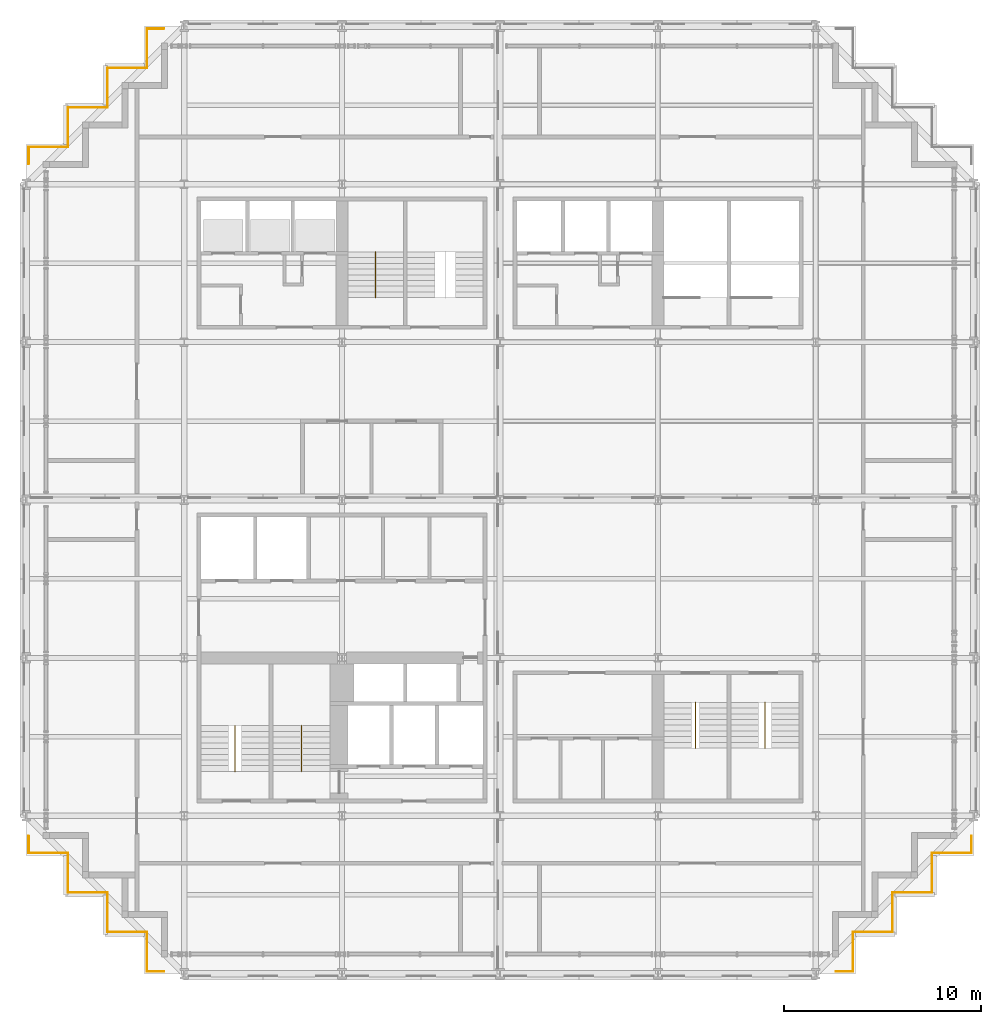
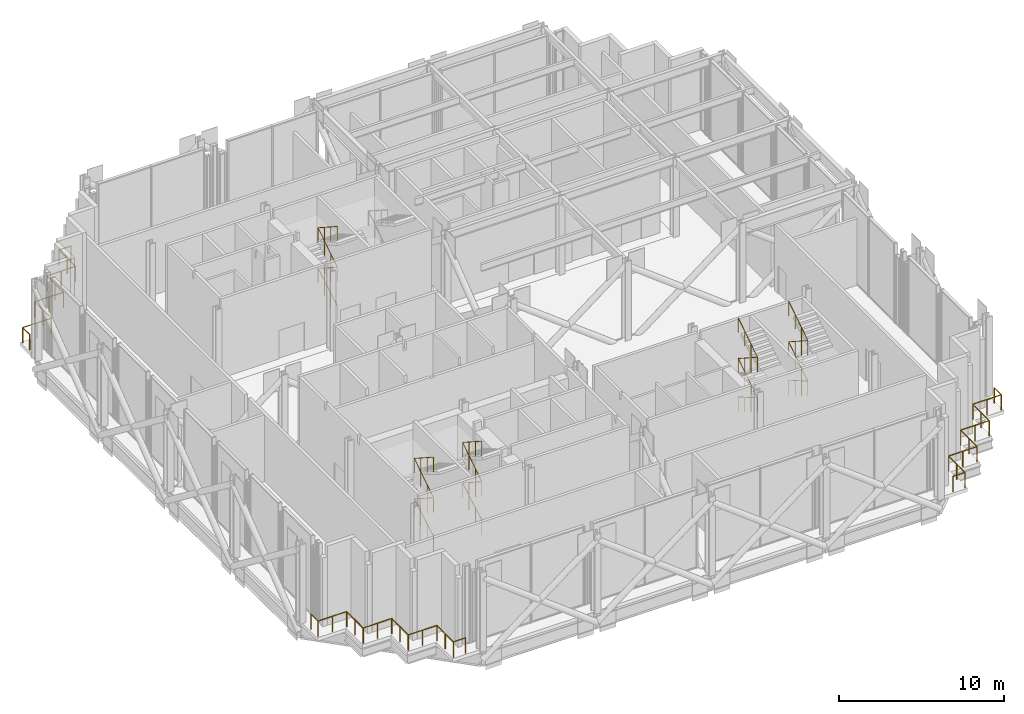
# One storey, part 23 of 25: 29 railings.
"""IFC4 building model written with IfcOpenShell, lengths in metres."""

import ifcopenshell
import ifcopenshell.guid

model = None  # the IFC model being written
_history = None  # IfcOwnerHistory: only IFC2X3 demands one
_inside = {}  # id of a spatial element -> (the spatial element, [elements in it])
_under = {}  # id of a project, library or spatial element -> (it, [spatial elements below it])
_declared = {}  # id of a project -> (the project, [libraries it declares])
_typed = {}  # id of a type object -> (the type object, [elements of that type])
_made_of = {}  # id of a material, layer set ... -> (it, [elements and type objects made of it])


def new_model(schema):
    """Start an empty IFC model of exactly this schema.

    Asked for "IFC4X3", IfcOpenShell would pick the latest addendum, in which some entities
    have other attributes; the version numbers below select the first issue.
    IFC2X3 requires an IfcOwnerHistory on every rooted entity: one is made here for all.
    """
    global model, _history
    if schema == "IFC4X3":
        model = ifcopenshell.file(schema_version=(4, 3, 0, 0))
    else:
        model = ifcopenshell.file(schema=schema)
    _inside.clear()
    _under.clear()
    _declared.clear()
    _typed.clear()
    _made_of.clear()
    _history = None
    if model.schema == "IFC2X3":
        org = make("IfcOrganization", Name="unknown")
        user = make(
            "IfcPersonAndOrganization",
            ThePerson=make("IfcPerson", FamilyName="unknown"),
            TheOrganization=org,
        )
        app = make(
            "IfcApplication",
            ApplicationDeveloper=org,
            Version="unknown",
            ApplicationFullName="unknown",
            ApplicationIdentifier="unknown",
        )
        _history = make(
            "IfcOwnerHistory",
            OwningUser=user,
            OwningApplication=app,
            ChangeAction="ADDED",
            CreationDate=0,
        )
    return model


def make(cls, **values):
    """One entity of the class cls with the attributes given. An attribute that is None is left unset."""
    return model.create_entity(
        cls, **{name: value for name, value in values.items() if value is not None}
    )


def rooted(cls, **values):
    """An entity with a GlobalId (a new one), such as an element, a storey or a relation."""
    return make(cls, GlobalId=ifcopenshell.guid.new(), OwnerHistory=_history, **values)


def si_unit(unit_type, name, prefix=None):
    """IfcSIUnit, for example si_unit("LENGTHUNIT", "METRE", prefix="MILLI")."""
    return make("IfcSIUnit", UnitType=unit_type, Prefix=prefix, Name=name)


def assignment(units):
    """IfcUnitAssignment: the units of a project."""
    return None if units is None else make("IfcUnitAssignment", Units=units)


def point(xyz):
    """IfcCartesianPoint."""
    return None if xyz is None else make("IfcCartesianPoint", Coordinates=xyz)


def direction(xyz):
    """IfcDirection."""
    return None if xyz is None else make("IfcDirection", DirectionRatios=xyz)


def frame(location, z_axis=None, x_axis=None):
    """IfcAxis2Placement3D, a coordinate frame: its origin and axes. An axis left out is left unset."""
    return make(
        "IfcAxis2Placement3D",
        Location=point(location),
        Axis=direction(z_axis),
        RefDirection=direction(x_axis),
    )


def frame_2d(location, x_axis=None):
    """IfcAxis2Placement2D, a coordinate frame in the plane: its origin and x axis."""
    return make(
        "IfcAxis2Placement2D", Location=point(location), RefDirection=direction(x_axis)
    )


def origin():
    """The frame at (0, 0, 0) with its axes left unset."""
    return frame((0.0, 0.0, 0.0))


def origin_2d():
    """The frame at (0, 0) in the plane with its x axis left unset."""
    return frame_2d((0.0, 0.0))


def place(relative_to, where):
    """IfcLocalPlacement: puts the frame where relative to a parent placement (None: the world)."""
    return make(
        "IfcLocalPlacement", PlacementRelTo=relative_to, RelativePlacement=where
    )


def context(
    kind, dimensions, precision=None, world=None, true_north=None, identifier=None
):
    """IfcGeometricRepresentationContext, for example the 3D "Model" context."""
    return make(
        "IfcGeometricRepresentationContext",
        ContextIdentifier=identifier,
        ContextType=kind,
        CoordinateSpaceDimension=dimensions,
        Precision=precision,
        WorldCoordinateSystem=world,
        TrueNorth=true_north,
    )


def subcontext(parent, identifier, kind, view, scale=None):
    """IfcGeometricRepresentationSubContext, for example "Body" below "Model"."""
    return make(
        "IfcGeometricRepresentationSubContext",
        ContextIdentifier=identifier,
        ContextType=kind,
        ParentContext=parent,
        TargetScale=scale,
        TargetView=view,
    )


def project(units=None, contexts=None):
    """IfcProject with its units and contexts."""
    return rooted(
        "IfcProject",
        Name="project",
        RepresentationContexts=contexts,
        UnitsInContext=assignment(units),
    )


def spatial(cls, under=None, at=None, **own):
    """A site, building, storey or space (cls), placed at a placement, below another one or the project."""
    s = rooted(cls, ObjectPlacement=at, **own)
    if under is not None:
        _under.setdefault(under.id(), (under, []))[1].append(s)
    return s


def profile(cls, at=None, kind="AREA", **sizes):
    """A parametric profile (cls). Its sizes go by their IFC names, for example OverallWidth=200.0."""
    return make(cls, ProfileType=kind, Position=at, **sizes)


def circle(**sizes):
    """IfcCircleProfileDef."""
    return profile("IfcCircleProfileDef", **sizes)


def extrude(swept, where, along, depth):
    """IfcExtrudedAreaSolid: the profile swept, set in the frame where, extruded along a direction by depth."""
    return make(
        "IfcExtrudedAreaSolid",
        SweptArea=swept,
        Position=where,
        ExtrudedDirection=direction(along),
        Depth=depth,
    )


def shape(context_of_items, identifier, shape_type, items):
    """IfcShapeRepresentation: the items that make up one representation, for example the "Body"."""
    return make(
        "IfcShapeRepresentation",
        ContextOfItems=context_of_items,
        RepresentationIdentifier=identifier,
        RepresentationType=shape_type,
        Items=items,
    )


def material(Name=None, Category=None):
    """IfcMaterial."""
    return make("IfcMaterial", Name=Name, Category=Category)


def made_of(thing, what):
    """Note that an element or type object is made of a material, layer set ...; save() writes the relation."""
    if what is not None:
        _made_of.setdefault(what.id(), (what, []))[1].append(thing)
    return thing


def type_object(cls, material=None, **own):
    """A type object (cls), such as IfcWallType, which elements share."""
    return made_of(rooted(cls, **own), material)


def element(
    cls,
    number,
    at=None,
    inside=None,
    cuts=None,
    type_object=None,
    material=None,
    context=None,
    identifier="Body",
    shape_type=None,
    held_by="IfcProductDefinitionShape",
    body=None,
    shapes=None,
    **own,
):
    """One element of the class cls, such as IfcWall. Its Tag is "e" and its number.

    at: its placement. inside: the storey or other place that contains it. cuts: it is an
    opening in that element (IfcRelVoidsElement). A single representation is given by context,
    identifier, shape_type and body (its items); several are given by shapes. held_by: the class
    of the entity that holds the representations. save() writes the other relations.
    """
    e = rooted(cls, Tag="e%d" % number, ObjectPlacement=at, **own)
    if body is not None:
        shapes = [shape(context, identifier, shape_type, body)]
    if shapes is not None:
        e.Representation = make(held_by, Representations=shapes)
    if inside is not None:
        _inside.setdefault(inside.id(), (inside, []))[1].append(e)
    if cuts is not None:
        rooted(
            "IfcRelVoidsElement", RelatingBuildingElement=cuts, RelatedOpeningElement=e
        )
    if type_object is not None:
        _typed.setdefault(type_object.id(), (type_object, []))[1].append(e)
    return made_of(e, material)


def aggregate(whole, parts):
    """IfcRelAggregates: a whole, such as a stair, and the parts it consists of."""
    return rooted("IfcRelAggregates", RelatingObject=whole, RelatedObjects=parts)


def save(model, path):
    """Write the relations noted so far, then the file.

    IfcRelAggregates (storeys below a building ...), IfcRelContainedInSpatialStructure (elements
    in a storey), IfcRelDefinesByType, IfcRelAssociatesMaterial and IfcRelDeclares: one each for
    every whole, place, type object, material and project.
    """
    for whole, parts in _under.values():
        aggregate(whole, parts)
    for where, things in _inside.values():
        rooted(
            "IfcRelContainedInSpatialStructure",
            RelatedElements=things,
            RelatingStructure=where,
        )
    for kind, things in _typed.values():
        rooted("IfcRelDefinesByType", RelatedObjects=things, RelatingType=kind)
    for what, things in _made_of.values():
        rooted("IfcRelAssociatesMaterial", RelatedObjects=things, RelatingMaterial=what)
    for by, libraries in _declared.values():
        rooted("IfcRelDeclares", RelatingContext=by, RelatedDefinitions=libraries)
    model.write(path)


model = new_model("IFC4")

# Units and contexts
model_context = context("Model", 3, precision=1e-05, world=origin(), true_north=direction((0.0, 1.0)))
body_context = subcontext(model_context, "Body", "Model", "MODEL_VIEW")
ifc_project = project(units=[si_unit("LENGTHUNIT", "METRE"), si_unit("AREAUNIT", "SQUARE_METRE"), si_unit("VOLUMEUNIT", "CUBIC_METRE"), si_unit("PLANEANGLEUNIT", "RADIAN"), si_unit("MASSUNIT", "GRAM", prefix="KILO")], contexts=[model_context])

# Site, building, storey
site_placement = place(None, origin())
site = spatial("IfcSite", under=ifc_project, at=site_placement, CompositionType="ELEMENT")
building_placement = place(site_placement, origin())
building = spatial("IfcBuilding", under=site, at=building_placement, Name="Immortelle Media Tower", CompositionType="ELEMENT")
storey_placement = place(building_placement, frame((0.0, 0.0, 114.0)))
storey = spatial("IfcBuildingStorey", under=building, at=storey_placement, Name="L22", CompositionType="ELEMENT", Elevation=114.0)

# Railings
ifc_material = material(Name="Stainless steel AISI 316", Category="steel")
railing_type_1 = type_object("IfcRailingType", Name="Plant ledge guard 1150", PredefinedType="GUARDRAIL", material=ifc_material)
railing_1_placement = place(storey_placement, frame((0.1201171875, 6.1201171875, 0.0)))
element("IfcRailing", 1, at=railing_1_placement, inside=storey, type_object=railing_type_1, Name="Plant ledge guard L22-1", PredefinedType="GUARDRAIL", context=body_context, shape_type="SweptSolid", body=[
    extrude(circle(Radius=0.02001953125, at=origin_2d()), frame((0.0, 0.0, 1.1298828125), z_axis=(1.0, 0.0, 0.0), x_axis=(0.0, 1.0, 0.0)), (0.0, 0.0, 1.0), 2.0),
    extrude(circle(Radius=0.02001953125, at=origin_2d()), origin(), (0.0, 0.0, 1.0), 1.10986328125),
    extrude(circle(Radius=0.02001953125, at=origin_2d()), frame((1.0, 0.0, 0.0)), (0.0, 0.0, 1.0), 1.10986328125),
    extrude(circle(Radius=0.02001953125, at=origin_2d()), frame((2.0, 0.0, 0.0)), (0.0, 0.0, 1.0), 1.10986328125),
])
railing_2_placement = place(storey_placement, frame((0.1201171875, 6.969970703125, 0.0)))
element("IfcRailing", 2, at=railing_2_placement, inside=storey, type_object=railing_type_1, Name="Plant ledge guard L22-2", PredefinedType="GUARDRAIL", context=body_context, shape_type="SweptSolid", body=[
    extrude(circle(Radius=0.02001953125, at=origin_2d()), frame((0.0, 0.0, 1.1298828125), z_axis=(0.0, -1.0, 0.0), x_axis=(1.0, 0.0, 0.0)), (0.0, 0.0, 1.0), 0.849853515625),
    extrude(circle(Radius=0.02001953125, at=origin_2d()), origin(), (0.0, 0.0, 1.0), 1.10986328125),
    extrude(circle(Radius=0.02001953125, at=origin_2d()), frame((0.0, -0.849853515625, 0.0)), (0.0, 0.0, 1.0), 1.10986328125),
])
railing_3_placement = place(storey_placement, frame((2.1201171875, 6.1201171875, 0.0)))
element("IfcRailing", 3, at=railing_3_placement, inside=storey, type_object=railing_type_1, Name="Plant ledge guard L22-3", PredefinedType="GUARDRAIL", context=body_context, shape_type="SweptSolid", body=[
    extrude(circle(Radius=0.02001953125, at=origin_2d()), frame((0.0, 0.0, 1.1298828125), z_axis=(0.0, -1.0, 0.0), x_axis=(1.0, 0.0, 0.0)), (0.0, 0.0, 1.0), 2.0),
    extrude(circle(Radius=0.02001953125, at=origin_2d()), origin(), (0.0, 0.0, 1.0), 1.10986328125),
    extrude(circle(Radius=0.02001953125, at=origin_2d()), frame((0.0, -1.0, 0.0)), (0.0, 0.0, 1.0), 1.10986328125),
    extrude(circle(Radius=0.02001953125, at=origin_2d()), frame((0.0, -2.0, 0.0)), (0.0, 0.0, 1.0), 1.10986328125),
])
railing_4_placement = place(storey_placement, frame((2.1201171875, 4.1201171875, 0.0)))
element("IfcRailing", 4, at=railing_4_placement, inside=storey, type_object=railing_type_1, Name="Plant ledge guard L22-4", PredefinedType="GUARDRAIL", context=body_context, shape_type="SweptSolid", body=[
    extrude(circle(Radius=0.02001953125, at=origin_2d()), frame((0.0, 0.0, 1.1298828125), z_axis=(1.0, 0.0, 0.0), x_axis=(0.0, 1.0, 0.0)), (0.0, 0.0, 1.0), 2.0),
    extrude(circle(Radius=0.02001953125, at=origin_2d()), origin(), (0.0, 0.0, 1.0), 1.10986328125),
    extrude(circle(Radius=0.02001953125, at=origin_2d()), frame((1.0, 0.0, 0.0)), (0.0, 0.0, 1.0), 1.10986328125),
    extrude(circle(Radius=0.02001953125, at=origin_2d()), frame((2.0, 0.0, 0.0)), (0.0, 0.0, 1.0), 1.10986328125),
])
railing_5_placement = place(storey_placement, frame((4.1201171875, 4.1201171875, 0.0)))
element("IfcRailing", 5, at=railing_5_placement, inside=storey, type_object=railing_type_1, Name="Plant ledge guard L22-5", PredefinedType="GUARDRAIL", context=body_context, shape_type="SweptSolid", body=[
    extrude(circle(Radius=0.02001953125, at=origin_2d()), frame((0.0, 0.0, 1.1298828125), z_axis=(0.0, -1.0, 0.0), x_axis=(1.0, 0.0, 0.0)), (0.0, 0.0, 1.0), 2.0),
    extrude(circle(Radius=0.02001953125, at=origin_2d()), origin(), (0.0, 0.0, 1.0), 1.10986328125),
    extrude(circle(Radius=0.02001953125, at=origin_2d()), frame((0.0, -1.0, 0.0)), (0.0, 0.0, 1.0), 1.10986328125),
    extrude(circle(Radius=0.02001953125, at=origin_2d()), frame((0.0, -2.0, 0.0)), (0.0, 0.0, 1.0), 1.10986328125),
])
railing_6_placement = place(storey_placement, frame((4.1201171875, 2.1201171875, 0.0)))
element("IfcRailing", 6, at=railing_6_placement, inside=storey, type_object=railing_type_1, Name="Plant ledge guard L22-6", PredefinedType="GUARDRAIL", context=body_context, shape_type="SweptSolid", body=[
    extrude(circle(Radius=0.02001953125, at=origin_2d()), frame((0.0, 0.0, 1.1298828125), z_axis=(1.0, 0.0, 0.0), x_axis=(0.0, 1.0, 0.0)), (0.0, 0.0, 1.0), 2.0),
    extrude(circle(Radius=0.02001953125, at=origin_2d()), origin(), (0.0, 0.0, 1.0), 1.10986328125),
    extrude(circle(Radius=0.02001953125, at=origin_2d()), frame((1.0, 0.0, 0.0)), (0.0, 0.0, 1.0), 1.10986328125),
    extrude(circle(Radius=0.02001953125, at=origin_2d()), frame((2.0, 0.0, 0.0)), (0.0, 0.0, 1.0), 1.10986328125),
])
railing_7_placement = place(storey_placement, frame((6.1201171875, 2.1201171875, 0.0)))
element("IfcRailing", 7, at=railing_7_placement, inside=storey, type_object=railing_type_1, Name="Plant ledge guard L22-7", PredefinedType="GUARDRAIL", context=body_context, shape_type="SweptSolid", body=[
    extrude(circle(Radius=0.02001953125, at=origin_2d()), frame((0.0, 0.0, 1.1298828125), z_axis=(0.0, -1.0, 0.0), x_axis=(1.0, 0.0, 0.0)), (0.0, 0.0, 1.0), 2.0),
    extrude(circle(Radius=0.02001953125, at=origin_2d()), origin(), (0.0, 0.0, 1.0), 1.10986328125),
    extrude(circle(Radius=0.02001953125, at=origin_2d()), frame((0.0, -1.0, 0.0)), (0.0, 0.0, 1.0), 1.10986328125),
    extrude(circle(Radius=0.02001953125, at=origin_2d()), frame((0.0, -2.0, 0.0)), (0.0, 0.0, 1.0), 1.10986328125),
])
railing_8_placement = place(storey_placement, frame((6.1201171875, 0.1201171875, 0.0)))
element("IfcRailing", 8, at=railing_8_placement, inside=storey, type_object=railing_type_1, Name="Plant ledge guard L22-8", PredefinedType="GUARDRAIL", context=body_context, shape_type="SweptSolid", body=[
    extrude(circle(Radius=0.02001953125, at=origin_2d()), frame((0.0, 0.0, 1.1298828125), z_axis=(1.0, 0.0, 0.0), x_axis=(0.0, 1.0, 0.0)), (0.0, 0.0, 1.0), 0.849853515625),
    extrude(circle(Radius=0.02001953125, at=origin_2d()), origin(), (0.0, 0.0, 1.0), 1.10986328125),
    extrude(circle(Radius=0.02001953125, at=origin_2d()), frame((0.849853515625, 0.0, 0.0)), (0.0, 0.0, 1.0), 1.10986328125),
])
railing_9_placement = place(storey_placement, frame((41.8798828125, 0.1201171875, 0.0)))
element("IfcRailing", 9, at=railing_9_placement, inside=storey, type_object=railing_type_1, Name="Plant ledge guard L22-9", PredefinedType="GUARDRAIL", context=body_context, shape_type="SweptSolid", body=[
    extrude(circle(Radius=0.02001953125, at=origin_2d()), frame((0.0, 0.0, 1.1298828125), z_axis=(0.0, 1.0, 0.0), x_axis=(-1.0, 0.0, 0.0)), (0.0, 0.0, 1.0), 2.0),
    extrude(circle(Radius=0.02001953125, at=origin_2d()), origin(), (0.0, 0.0, 1.0), 1.10986328125),
    extrude(circle(Radius=0.02001953125, at=origin_2d()), frame((0.0, 1.0, 0.0)), (0.0, 0.0, 1.0), 1.10986328125),
    extrude(circle(Radius=0.02001953125, at=origin_2d()), frame((0.0, 2.0, 0.0)), (0.0, 0.0, 1.0), 1.10986328125),
])
railing_10_placement = place(storey_placement, frame((41.030029296875, 0.1201171875, 0.0)))
element("IfcRailing", 10, at=railing_10_placement, inside=storey, type_object=railing_type_1, Name="Plant ledge guard L22-10", PredefinedType="GUARDRAIL", context=body_context, shape_type="SweptSolid", body=[
    extrude(circle(Radius=0.02001953125, at=origin_2d()), frame((0.0, 0.0, 1.1298828125), z_axis=(1.0, 0.0, 0.0), x_axis=(0.0, 1.0, 0.0)), (0.0, 0.0, 1.0), 0.849853515625),
    extrude(circle(Radius=0.02001953125, at=origin_2d()), origin(), (0.0, 0.0, 1.0), 1.10986328125),
    extrude(circle(Radius=0.02001953125, at=origin_2d()), frame((0.849853515625, 0.0, 0.0)), (0.0, 0.0, 1.0), 1.10986328125),
])
railing_11_placement = place(storey_placement, frame((41.8798828125, 2.1201171875, 0.0)))
element("IfcRailing", 11, at=railing_11_placement, inside=storey, type_object=railing_type_1, Name="Plant ledge guard L22-11", PredefinedType="GUARDRAIL", context=body_context, shape_type="SweptSolid", body=[
    extrude(circle(Radius=0.02001953125, at=origin_2d()), frame((0.0, 0.0, 1.1298828125), z_axis=(1.0, 0.0, 0.0), x_axis=(0.0, 1.0, 0.0)), (0.0, 0.0, 1.0), 2.0),
    extrude(circle(Radius=0.02001953125, at=origin_2d()), origin(), (0.0, 0.0, 1.0), 1.10986328125),
    extrude(circle(Radius=0.02001953125, at=origin_2d()), frame((1.0, 0.0, 0.0)), (0.0, 0.0, 1.0), 1.10986328125),
    extrude(circle(Radius=0.02001953125, at=origin_2d()), frame((2.0, 0.0, 0.0)), (0.0, 0.0, 1.0), 1.10986328125),
])
railing_12_placement = place(storey_placement, frame((43.8798828125, 2.1201171875, 0.0)))
element("IfcRailing", 12, at=railing_12_placement, inside=storey, type_object=railing_type_1, Name="Plant ledge guard L22-12", PredefinedType="GUARDRAIL", context=body_context, shape_type="SweptSolid", body=[
    extrude(circle(Radius=0.02001953125, at=origin_2d()), frame((0.0, 0.0, 1.1298828125), z_axis=(0.0, 1.0, 0.0), x_axis=(-1.0, 0.0, 0.0)), (0.0, 0.0, 1.0), 2.0),
    extrude(circle(Radius=0.02001953125, at=origin_2d()), origin(), (0.0, 0.0, 1.0), 1.10986328125),
    extrude(circle(Radius=0.02001953125, at=origin_2d()), frame((0.0, 1.0, 0.0)), (0.0, 0.0, 1.0), 1.10986328125),
    extrude(circle(Radius=0.02001953125, at=origin_2d()), frame((0.0, 2.0, 0.0)), (0.0, 0.0, 1.0), 1.10986328125),
])
railing_13_placement = place(storey_placement, frame((43.8798828125, 4.1201171875, 0.0)))
element("IfcRailing", 13, at=railing_13_placement, inside=storey, type_object=railing_type_1, Name="Plant ledge guard L22-13", PredefinedType="GUARDRAIL", context=body_context, shape_type="SweptSolid", body=[
    extrude(circle(Radius=0.02001953125, at=origin_2d()), frame((0.0, 0.0, 1.1298828125), z_axis=(1.0, 0.0, 0.0), x_axis=(0.0, 1.0, 0.0)), (0.0, 0.0, 1.0), 2.0),
    extrude(circle(Radius=0.02001953125, at=origin_2d()), origin(), (0.0, 0.0, 1.0), 1.10986328125),
    extrude(circle(Radius=0.02001953125, at=origin_2d()), frame((1.0, 0.0, 0.0)), (0.0, 0.0, 1.0), 1.10986328125),
    extrude(circle(Radius=0.02001953125, at=origin_2d()), frame((2.0, 0.0, 0.0)), (0.0, 0.0, 1.0), 1.10986328125),
])
railing_14_placement = place(storey_placement, frame((45.8798828125, 4.1201171875, 0.0)))
element("IfcRailing", 14, at=railing_14_placement, inside=storey, type_object=railing_type_1, Name="Plant ledge guard L22-14", PredefinedType="GUARDRAIL", context=body_context, shape_type="SweptSolid", body=[
    extrude(circle(Radius=0.02001953125, at=origin_2d()), frame((0.0, 0.0, 1.1298828125), z_axis=(0.0, 1.0, 0.0), x_axis=(-1.0, 0.0, 0.0)), (0.0, 0.0, 1.0), 2.0),
    extrude(circle(Radius=0.02001953125, at=origin_2d()), origin(), (0.0, 0.0, 1.0), 1.10986328125),
    extrude(circle(Radius=0.02001953125, at=origin_2d()), frame((0.0, 1.0, 0.0)), (0.0, 0.0, 1.0), 1.10986328125),
    extrude(circle(Radius=0.02001953125, at=origin_2d()), frame((0.0, 2.0, 0.0)), (0.0, 0.0, 1.0), 1.10986328125),
])
railing_15_placement = place(storey_placement, frame((45.8798828125, 6.1201171875, 0.0)))
element("IfcRailing", 15, at=railing_15_placement, inside=storey, type_object=railing_type_1, Name="Plant ledge guard L22-15", PredefinedType="GUARDRAIL", context=body_context, shape_type="SweptSolid", body=[
    extrude(circle(Radius=0.02001953125, at=origin_2d()), frame((0.0, 0.0, 1.1298828125), z_axis=(1.0, 0.0, 0.0), x_axis=(0.0, 1.0, 0.0)), (0.0, 0.0, 1.0), 2.0),
    extrude(circle(Radius=0.02001953125, at=origin_2d()), origin(), (0.0, 0.0, 1.0), 1.10986328125),
    extrude(circle(Radius=0.02001953125, at=origin_2d()), frame((1.0, 0.0, 0.0)), (0.0, 0.0, 1.0), 1.10986328125),
    extrude(circle(Radius=0.02001953125, at=origin_2d()), frame((2.0, 0.0, 0.0)), (0.0, 0.0, 1.0), 1.10986328125),
])
railing_16_placement = place(storey_placement, frame((47.8798828125, 6.1201171875, 0.0)))
element("IfcRailing", 16, at=railing_16_placement, inside=storey, type_object=railing_type_1, Name="Plant ledge guard L22-16", PredefinedType="GUARDRAIL", context=body_context, shape_type="SweptSolid", body=[
    extrude(circle(Radius=0.02001953125, at=origin_2d()), frame((0.0, 0.0, 1.1298828125), z_axis=(0.0, 1.0, 0.0), x_axis=(-1.0, 0.0, 0.0)), (0.0, 0.0, 1.0), 0.849853515625),
    extrude(circle(Radius=0.02001953125, at=origin_2d()), origin(), (0.0, 0.0, 1.0), 1.10986328125),
    extrude(circle(Radius=0.02001953125, at=origin_2d()), frame((0.0, 0.849853515625, 0.0)), (0.0, 0.0, 1.0), 1.10986328125),
])
railing_17_placement = place(storey_placement, frame((6.1201171875, 47.8798828125, 0.0)))
element("IfcRailing", 17, at=railing_17_placement, inside=storey, type_object=railing_type_1, Name="Plant ledge guard L22-25", PredefinedType="GUARDRAIL", context=body_context, shape_type="SweptSolid", body=[
    extrude(circle(Radius=0.02001953125, at=origin_2d()), frame((0.0, 0.0, 1.1298828125), z_axis=(0.0, -1.0, 0.0), x_axis=(1.0, 0.0, 0.0)), (0.0, 0.0, 1.0), 2.0),
    extrude(circle(Radius=0.02001953125, at=origin_2d()), origin(), (0.0, 0.0, 1.0), 1.10986328125),
    extrude(circle(Radius=0.02001953125, at=origin_2d()), frame((0.0, -1.0, 0.0)), (0.0, 0.0, 1.0), 1.10986328125),
    extrude(circle(Radius=0.02001953125, at=origin_2d()), frame((0.0, -2.0, 0.0)), (0.0, 0.0, 1.0), 1.10986328125),
])
railing_18_placement = place(storey_placement, frame((6.969970703125, 47.8798828125, 0.0)))
element("IfcRailing", 18, at=railing_18_placement, inside=storey, type_object=railing_type_1, Name="Plant ledge guard L22-26", PredefinedType="GUARDRAIL", context=body_context, shape_type="SweptSolid", body=[
    extrude(circle(Radius=0.02001953125, at=origin_2d()), frame((0.0, 0.0, 1.1298828125), z_axis=(-1.0, 0.0, 0.0), x_axis=(0.0, -1.0, 0.0)), (0.0, 0.0, 1.0), 0.849853515625),
    extrude(circle(Radius=0.02001953125, at=origin_2d()), origin(), (0.0, 0.0, 1.0), 1.10986328125),
    extrude(circle(Radius=0.02001953125, at=origin_2d()), frame((-0.849853515625, 0.0, 0.0)), (0.0, 0.0, 1.0), 1.10986328125),
])
railing_19_placement = place(storey_placement, frame((6.1201171875, 45.8798828125, 0.0)))
element("IfcRailing", 19, at=railing_19_placement, inside=storey, type_object=railing_type_1, Name="Plant ledge guard L22-27", PredefinedType="GUARDRAIL", context=body_context, shape_type="SweptSolid", body=[
    extrude(circle(Radius=0.02001953125, at=origin_2d()), frame((0.0, 0.0, 1.1298828125), z_axis=(-1.0, 0.0, 0.0), x_axis=(0.0, -1.0, 0.0)), (0.0, 0.0, 1.0), 2.0),
    extrude(circle(Radius=0.02001953125, at=origin_2d()), origin(), (0.0, 0.0, 1.0), 1.10986328125),
    extrude(circle(Radius=0.02001953125, at=origin_2d()), frame((-1.0, 0.0, 0.0)), (0.0, 0.0, 1.0), 1.10986328125),
    extrude(circle(Radius=0.02001953125, at=origin_2d()), frame((-2.0, 0.0, 0.0)), (0.0, 0.0, 1.0), 1.10986328125),
])
railing_20_placement = place(storey_placement, frame((4.1201171875, 45.8798828125, 0.0)))
element("IfcRailing", 20, at=railing_20_placement, inside=storey, type_object=railing_type_1, Name="Plant ledge guard L22-28", PredefinedType="GUARDRAIL", context=body_context, shape_type="SweptSolid", body=[
    extrude(circle(Radius=0.02001953125, at=origin_2d()), frame((0.0, 0.0, 1.1298828125), z_axis=(0.0, -1.0, 0.0), x_axis=(1.0, 0.0, 0.0)), (0.0, 0.0, 1.0), 2.0),
    extrude(circle(Radius=0.02001953125, at=origin_2d()), origin(), (0.0, 0.0, 1.0), 1.10986328125),
    extrude(circle(Radius=0.02001953125, at=origin_2d()), frame((0.0, -1.0, 0.0)), (0.0, 0.0, 1.0), 1.10986328125),
    extrude(circle(Radius=0.02001953125, at=origin_2d()), frame((0.0, -2.0, 0.0)), (0.0, 0.0, 1.0), 1.10986328125),
])
railing_21_placement = place(storey_placement, frame((4.1201171875, 43.8798828125, 0.0)))
element("IfcRailing", 21, at=railing_21_placement, inside=storey, type_object=railing_type_1, Name="Plant ledge guard L22-29", PredefinedType="GUARDRAIL", context=body_context, shape_type="SweptSolid", body=[
    extrude(circle(Radius=0.02001953125, at=origin_2d()), frame((0.0, 0.0, 1.1298828125), z_axis=(-1.0, 0.0, 0.0), x_axis=(0.0, -1.0, 0.0)), (0.0, 0.0, 1.0), 2.0),
    extrude(circle(Radius=0.02001953125, at=origin_2d()), origin(), (0.0, 0.0, 1.0), 1.10986328125),
    extrude(circle(Radius=0.02001953125, at=origin_2d()), frame((-1.0, 0.0, 0.0)), (0.0, 0.0, 1.0), 1.10986328125),
    extrude(circle(Radius=0.02001953125, at=origin_2d()), frame((-2.0, 0.0, 0.0)), (0.0, 0.0, 1.0), 1.10986328125),
])
railing_22_placement = place(storey_placement, frame((2.1201171875, 43.8798828125, 0.0)))
element("IfcRailing", 22, at=railing_22_placement, inside=storey, type_object=railing_type_1, Name="Plant ledge guard L22-30", PredefinedType="GUARDRAIL", context=body_context, shape_type="SweptSolid", body=[
    extrude(circle(Radius=0.02001953125, at=origin_2d()), frame((0.0, 0.0, 1.1298828125), z_axis=(0.0, -1.0, 0.0), x_axis=(1.0, 0.0, 0.0)), (0.0, 0.0, 1.0), 2.0),
    extrude(circle(Radius=0.02001953125, at=origin_2d()), origin(), (0.0, 0.0, 1.0), 1.10986328125),
    extrude(circle(Radius=0.02001953125, at=origin_2d()), frame((0.0, -1.0, 0.0)), (0.0, 0.0, 1.0), 1.10986328125),
    extrude(circle(Radius=0.02001953125, at=origin_2d()), frame((0.0, -2.0, 0.0)), (0.0, 0.0, 1.0), 1.10986328125),
])
railing_23_placement = place(storey_placement, frame((2.1201171875, 41.8798828125, 0.0)))
element("IfcRailing", 23, at=railing_23_placement, inside=storey, type_object=railing_type_1, Name="Plant ledge guard L22-31", PredefinedType="GUARDRAIL", context=body_context, shape_type="SweptSolid", body=[
    extrude(circle(Radius=0.02001953125, at=origin_2d()), frame((0.0, 0.0, 1.1298828125), z_axis=(-1.0, 0.0, 0.0), x_axis=(0.0, -1.0, 0.0)), (0.0, 0.0, 1.0), 2.0),
    extrude(circle(Radius=0.02001953125, at=origin_2d()), origin(), (0.0, 0.0, 1.0), 1.10986328125),
    extrude(circle(Radius=0.02001953125, at=origin_2d()), frame((-1.0, 0.0, 0.0)), (0.0, 0.0, 1.0), 1.10986328125),
    extrude(circle(Radius=0.02001953125, at=origin_2d()), frame((-2.0, 0.0, 0.0)), (0.0, 0.0, 1.0), 1.10986328125),
])
railing_24_placement = place(storey_placement, frame((0.1201171875, 41.8798828125, 0.0)))
element("IfcRailing", 24, at=railing_24_placement, inside=storey, type_object=railing_type_1, Name="Plant ledge guard L22-32", PredefinedType="GUARDRAIL", context=body_context, shape_type="SweptSolid", body=[
    extrude(circle(Radius=0.02001953125, at=origin_2d()), frame((0.0, 0.0, 1.1298828125), z_axis=(0.0, -1.0, 0.0), x_axis=(1.0, 0.0, 0.0)), (0.0, 0.0, 1.0), 0.849853515625),
    extrude(circle(Radius=0.02001953125, at=origin_2d()), origin(), (0.0, 0.0, 1.0), 1.10986328125),
    extrude(circle(Radius=0.02001953125, at=origin_2d()), frame((0.0, -0.849853515625, 0.0)), (0.0, 0.0, 1.0), 1.10986328125),
])
railing_type_2 = type_object("IfcRailingType", Name="Stair guard 1100", PredefinedType="GUARDRAIL", material=ifc_material)
railing_25_placement = place(storey_placement, frame((10.574951171875, 10.25, 0.166748046875)))
element("IfcRailing", 25, at=railing_25_placement, inside=storey, type_object=railing_type_2, Name="Stair guard SW1", PredefinedType="GUARDRAIL", context=body_context, shape_type="SweptSolid", body=[
    extrude(circle(Radius=0.02392578125, at=origin_2d()), frame((0.0, 0.0, 1.076171875), z_axis=(0.0, 0.867033425039, 0.498249977285), x_axis=(-1.0, 0.0, 0.0)), (0.0, 0.0, 1.0), 2.67578125),
    extrude(circle(Radius=0.02392578125, at=origin_2d()), frame((0.0, 2.320068359375, 2.4091796875), z_axis=(0.0, -0.839771624056, 0.54293979356), x_axis=(1.0, 0.0, 0.0)), (0.0, 0.0, 1.0), 2.7626953125),
    extrude(circle(Radius=0.02392578125, at=origin_2d()), frame((0.0, 0.0, 3.9091796875), z_axis=(0.0, 0.839771624056, 0.54293979356), x_axis=(-1.0, 0.0, 0.0)), (0.0, 0.0, 1.0), 2.7626953125),
    extrude(circle(Radius=0.02392578125, at=origin_2d()), frame((0.0, 2.320068359375, 5.4091796875), z_axis=(0.0, -0.839771624056, 0.54293979356), x_axis=(1.0, 0.0, 0.0)), (0.0, 0.0, 1.0), 2.7626953125),
    extrude(circle(Radius=0.02099609375, at=origin_2d()), origin(), (0.0, 0.0, 1.0), 1.052001953125),
    extrude(circle(Radius=0.02099609375, at=origin_2d()), frame((0.0, 0.7734375, 0.4443359375)), (0.0, 0.0, 1.0), 1.052001953125),
    extrude(circle(Radius=0.02099609375, at=origin_2d()), frame((0.0, 1.546630859375, 0.888916015625)), (0.0, 0.0, 1.0), 1.052001953125),
    extrude(circle(Radius=0.02099609375, at=origin_2d()), frame((0.0, 2.320068359375, 1.333251953125)), (0.0, 0.0, 1.0), 1.052001953125),
    extrude(circle(Radius=0.02099609375, at=origin_2d()), frame((0.0, 1.546630859375, 1.833251953125)), (0.0, 0.0, 1.0), 1.052001953125),
    extrude(circle(Radius=0.02099609375, at=origin_2d()), frame((0.0, 0.7734375, 2.333251953125)), (0.0, 0.0, 1.0), 1.052001953125),
    extrude(circle(Radius=0.02099609375, at=origin_2d()), frame((0.0, 0.0, 2.833251953125)), (0.0, 0.0, 1.0), 1.052001953125),
    extrude(circle(Radius=0.02099609375, at=origin_2d()), frame((0.0, 0.7734375, 3.333251953125)), (0.0, 0.0, 1.0), 1.052001953125),
    extrude(circle(Radius=0.02099609375, at=origin_2d()), frame((0.0, 1.546630859375, 3.833251953125)), (0.0, 0.0, 1.0), 1.052001953125),
    extrude(circle(Radius=0.02099609375, at=origin_2d()), frame((0.0, 2.320068359375, 4.333251953125)), (0.0, 0.0, 1.0), 1.052001953125),
    extrude(circle(Radius=0.02099609375, at=origin_2d()), frame((0.0, 1.546630859375, 4.833251953125)), (0.0, 0.0, 1.0), 1.052001953125),
    extrude(circle(Radius=0.02099609375, at=origin_2d()), frame((0.0, 0.7734375, 5.333251953125)), (0.0, 0.0, 1.0), 1.052001953125),
    extrude(circle(Radius=0.02099609375, at=origin_2d()), frame((0.0, 0.0, 5.833251953125)), (0.0, 0.0, 1.0), 1.052001953125),
])
railing_26_placement = place(storey_placement, frame((13.949951171875, 10.25, 0.166748046875)))
element("IfcRailing", 26, at=railing_26_placement, inside=storey, type_object=railing_type_2, Name="Stair guard SW2", PredefinedType="GUARDRAIL", context=body_context, shape_type="SweptSolid", body=[
    extrude(circle(Radius=0.02392578125, at=origin_2d()), frame((0.0, 0.0, 1.076171875), z_axis=(0.0, 0.867033425039, 0.498249977285), x_axis=(-1.0, 0.0, 0.0)), (0.0, 0.0, 1.0), 2.67578125),
    extrude(circle(Radius=0.02392578125, at=origin_2d()), frame((0.0, 2.320068359375, 2.4091796875), z_axis=(0.0, -0.839771624056, 0.54293979356), x_axis=(1.0, 0.0, 0.0)), (0.0, 0.0, 1.0), 2.7626953125),
    extrude(circle(Radius=0.02392578125, at=origin_2d()), frame((0.0, 0.0, 3.9091796875), z_axis=(0.0, 0.839771624056, 0.54293979356), x_axis=(-1.0, 0.0, 0.0)), (0.0, 0.0, 1.0), 2.7626953125),
    extrude(circle(Radius=0.02392578125, at=origin_2d()), frame((0.0, 2.320068359375, 5.4091796875), z_axis=(0.0, -0.839771624056, 0.54293979356), x_axis=(1.0, 0.0, 0.0)), (0.0, 0.0, 1.0), 2.7626953125),
    extrude(circle(Radius=0.02099609375, at=origin_2d()), origin(), (0.0, 0.0, 1.0), 1.052001953125),
    extrude(circle(Radius=0.02099609375, at=origin_2d()), frame((0.0, 0.7734375, 0.4443359375)), (0.0, 0.0, 1.0), 1.052001953125),
    extrude(circle(Radius=0.02099609375, at=origin_2d()), frame((0.0, 1.546630859375, 0.888916015625)), (0.0, 0.0, 1.0), 1.052001953125),
    extrude(circle(Radius=0.02099609375, at=origin_2d()), frame((0.0, 2.320068359375, 1.333251953125)), (0.0, 0.0, 1.0), 1.052001953125),
    extrude(circle(Radius=0.02099609375, at=origin_2d()), frame((0.0, 1.546630859375, 1.833251953125)), (0.0, 0.0, 1.0), 1.052001953125),
    extrude(circle(Radius=0.02099609375, at=origin_2d()), frame((0.0, 0.7734375, 2.333251953125)), (0.0, 0.0, 1.0), 1.052001953125),
    extrude(circle(Radius=0.02099609375, at=origin_2d()), frame((0.0, 0.0, 2.833251953125)), (0.0, 0.0, 1.0), 1.052001953125),
    extrude(circle(Radius=0.02099609375, at=origin_2d()), frame((0.0, 0.7734375, 3.333251953125)), (0.0, 0.0, 1.0), 1.052001953125),
    extrude(circle(Radius=0.02099609375, at=origin_2d()), frame((0.0, 1.546630859375, 3.833251953125)), (0.0, 0.0, 1.0), 1.052001953125),
    extrude(circle(Radius=0.02099609375, at=origin_2d()), frame((0.0, 2.320068359375, 4.333251953125)), (0.0, 0.0, 1.0), 1.052001953125),
    extrude(circle(Radius=0.02099609375, at=origin_2d()), frame((0.0, 1.546630859375, 4.833251953125)), (0.0, 0.0, 1.0), 1.052001953125),
    extrude(circle(Radius=0.02099609375, at=origin_2d()), frame((0.0, 0.7734375, 5.333251953125)), (0.0, 0.0, 1.0), 1.052001953125),
    extrude(circle(Radius=0.02099609375, at=origin_2d()), frame((0.0, 0.0, 5.833251953125)), (0.0, 0.0, 1.0), 1.052001953125),
])
railing_27_placement = place(storey_placement, frame((33.89990234375, 13.75, 0.166748046875)))
element("IfcRailing", 27, at=railing_27_placement, inside=storey, type_object=railing_type_2, Name="Stair guard SE1", PredefinedType="GUARDRAIL", context=body_context, shape_type="SweptSolid", body=[
    extrude(circle(Radius=0.02392578125, at=origin_2d()), frame((0.0, 0.0, 1.076171875), z_axis=(0.0, -0.867033425039, 0.498249977285), x_axis=(1.0, 0.0, 0.0)), (0.0, 0.0, 1.0), 2.67578125),
    extrude(circle(Radius=0.02392578125, at=origin_2d()), frame((0.0, -2.320068359375, 2.4091796875), z_axis=(0.0, 0.839771624056, 0.54293979356), x_axis=(-1.0, 0.0, 0.0)), (0.0, 0.0, 1.0), 2.7626953125),
    extrude(circle(Radius=0.02392578125, at=origin_2d()), frame((0.0, 0.0, 3.9091796875), z_axis=(0.0, -0.839771624056, 0.54293979356), x_axis=(1.0, 0.0, 0.0)), (0.0, 0.0, 1.0), 2.7626953125),
    extrude(circle(Radius=0.02392578125, at=origin_2d()), frame((0.0, -2.320068359375, 5.4091796875), z_axis=(0.0, 0.839771624056, 0.54293979356), x_axis=(-1.0, 0.0, 0.0)), (0.0, 0.0, 1.0), 2.7626953125),
    extrude(circle(Radius=0.02099609375, at=origin_2d()), origin(), (0.0, 0.0, 1.0), 1.052001953125),
    extrude(circle(Radius=0.02099609375, at=origin_2d()), frame((0.0, -0.7734375, 0.4443359375)), (0.0, 0.0, 1.0), 1.052001953125),
    extrude(circle(Radius=0.02099609375, at=origin_2d()), frame((0.0, -1.546630859375, 0.888916015625)), (0.0, 0.0, 1.0), 1.052001953125),
    extrude(circle(Radius=0.02099609375, at=origin_2d()), frame((0.0, -2.320068359375, 1.333251953125)), (0.0, 0.0, 1.0), 1.052001953125),
    extrude(circle(Radius=0.02099609375, at=origin_2d()), frame((0.0, -1.546630859375, 1.833251953125)), (0.0, 0.0, 1.0), 1.052001953125),
    extrude(circle(Radius=0.02099609375, at=origin_2d()), frame((0.0, -0.7734375, 2.333251953125)), (0.0, 0.0, 1.0), 1.052001953125),
    extrude(circle(Radius=0.02099609375, at=origin_2d()), frame((0.0, 0.0, 2.833251953125)), (0.0, 0.0, 1.0), 1.052001953125),
    extrude(circle(Radius=0.02099609375, at=origin_2d()), frame((0.0, -0.7734375, 3.333251953125)), (0.0, 0.0, 1.0), 1.052001953125),
    extrude(circle(Radius=0.02099609375, at=origin_2d()), frame((0.0, -1.546630859375, 3.833251953125)), (0.0, 0.0, 1.0), 1.052001953125),
    extrude(circle(Radius=0.02099609375, at=origin_2d()), frame((0.0, -2.320068359375, 4.333251953125)), (0.0, 0.0, 1.0), 1.052001953125),
    extrude(circle(Radius=0.02099609375, at=origin_2d()), frame((0.0, -1.546630859375, 4.833251953125)), (0.0, 0.0, 1.0), 1.052001953125),
    extrude(circle(Radius=0.02099609375, at=origin_2d()), frame((0.0, -0.7734375, 5.333251953125)), (0.0, 0.0, 1.0), 1.052001953125),
    extrude(circle(Radius=0.02099609375, at=origin_2d()), frame((0.0, 0.0, 5.833251953125)), (0.0, 0.0, 1.0), 1.052001953125),
])
railing_28_placement = place(storey_placement, frame((37.425048828125, 13.75, 0.166748046875)))
element("IfcRailing", 28, at=railing_28_placement, inside=storey, type_object=railing_type_2, Name="Stair guard SE2", PredefinedType="GUARDRAIL", context=body_context, shape_type="SweptSolid", body=[
    extrude(circle(Radius=0.02392578125, at=origin_2d()), frame((0.0, 0.0, 1.076171875), z_axis=(0.0, -0.867033425039, 0.498249977285), x_axis=(1.0, 0.0, 0.0)), (0.0, 0.0, 1.0), 2.67578125),
    extrude(circle(Radius=0.02392578125, at=origin_2d()), frame((0.0, -2.320068359375, 2.4091796875), z_axis=(0.0, 0.839771624056, 0.54293979356), x_axis=(-1.0, 0.0, 0.0)), (0.0, 0.0, 1.0), 2.7626953125),
    extrude(circle(Radius=0.02392578125, at=origin_2d()), frame((0.0, 0.0, 3.9091796875), z_axis=(0.0, -0.839771624056, 0.54293979356), x_axis=(1.0, 0.0, 0.0)), (0.0, 0.0, 1.0), 2.7626953125),
    extrude(circle(Radius=0.02392578125, at=origin_2d()), frame((0.0, -2.320068359375, 5.4091796875), z_axis=(0.0, 0.839771624056, 0.54293979356), x_axis=(-1.0, 0.0, 0.0)), (0.0, 0.0, 1.0), 2.7626953125),
    extrude(circle(Radius=0.02099609375, at=origin_2d()), origin(), (0.0, 0.0, 1.0), 1.052001953125),
    extrude(circle(Radius=0.02099609375, at=origin_2d()), frame((0.0, -0.7734375, 0.4443359375)), (0.0, 0.0, 1.0), 1.052001953125),
    extrude(circle(Radius=0.02099609375, at=origin_2d()), frame((0.0, -1.546630859375, 0.888916015625)), (0.0, 0.0, 1.0), 1.052001953125),
    extrude(circle(Radius=0.02099609375, at=origin_2d()), frame((0.0, -2.320068359375, 1.333251953125)), (0.0, 0.0, 1.0), 1.052001953125),
    extrude(circle(Radius=0.02099609375, at=origin_2d()), frame((0.0, -1.546630859375, 1.833251953125)), (0.0, 0.0, 1.0), 1.052001953125),
    extrude(circle(Radius=0.02099609375, at=origin_2d()), frame((0.0, -0.7734375, 2.333251953125)), (0.0, 0.0, 1.0), 1.052001953125),
    extrude(circle(Radius=0.02099609375, at=origin_2d()), frame((0.0, 0.0, 2.833251953125)), (0.0, 0.0, 1.0), 1.052001953125),
    extrude(circle(Radius=0.02099609375, at=origin_2d()), frame((0.0, -0.7734375, 3.333251953125)), (0.0, 0.0, 1.0), 1.052001953125),
    extrude(circle(Radius=0.02099609375, at=origin_2d()), frame((0.0, -1.546630859375, 3.833251953125)), (0.0, 0.0, 1.0), 1.052001953125),
    extrude(circle(Radius=0.02099609375, at=origin_2d()), frame((0.0, -2.320068359375, 4.333251953125)), (0.0, 0.0, 1.0), 1.052001953125),
    extrude(circle(Radius=0.02099609375, at=origin_2d()), frame((0.0, -1.546630859375, 4.833251953125)), (0.0, 0.0, 1.0), 1.052001953125),
    extrude(circle(Radius=0.02099609375, at=origin_2d()), frame((0.0, -0.7734375, 5.333251953125)), (0.0, 0.0, 1.0), 1.052001953125),
    extrude(circle(Radius=0.02099609375, at=origin_2d()), frame((0.0, 0.0, 5.833251953125)), (0.0, 0.0, 1.0), 1.052001953125),
])
railing_29_placement = place(storey_placement, frame((17.699951171875, 34.25, 0.166748046875)))
element("IfcRailing", 29, at=railing_29_placement, inside=storey, type_object=railing_type_2, Name="Stair guard NW1", PredefinedType="GUARDRAIL", context=body_context, shape_type="SweptSolid", body=[
    extrude(circle(Radius=0.02392578125, at=origin_2d()), frame((0.0, 0.0, 1.076171875), z_axis=(0.0, 0.867033425039, 0.498249977285), x_axis=(-1.0, 0.0, 0.0)), (0.0, 0.0, 1.0), 2.67578125),
    extrude(circle(Radius=0.02392578125, at=origin_2d()), frame((0.0, 2.320068359375, 2.4091796875), z_axis=(0.0, -0.839771624056, 0.54293979356), x_axis=(1.0, 0.0, 0.0)), (0.0, 0.0, 1.0), 2.7626953125),
    extrude(circle(Radius=0.02392578125, at=origin_2d()), frame((0.0, 0.0, 3.9091796875), z_axis=(0.0, 0.839771624056, 0.54293979356), x_axis=(-1.0, 0.0, 0.0)), (0.0, 0.0, 1.0), 2.7626953125),
    extrude(circle(Radius=0.02392578125, at=origin_2d()), frame((0.0, 2.320068359375, 5.4091796875), z_axis=(0.0, -0.839771624056, 0.54293979356), x_axis=(1.0, 0.0, 0.0)), (0.0, 0.0, 1.0), 2.7626953125),
    extrude(circle(Radius=0.02099609375, at=origin_2d()), origin(), (0.0, 0.0, 1.0), 1.052001953125),
    extrude(circle(Radius=0.02099609375, at=origin_2d()), frame((0.0, 0.7734375, 0.4443359375)), (0.0, 0.0, 1.0), 1.052001953125),
    extrude(circle(Radius=0.02099609375, at=origin_2d()), frame((0.0, 1.546630859375, 0.888916015625)), (0.0, 0.0, 1.0), 1.052001953125),
    extrude(circle(Radius=0.02099609375, at=origin_2d()), frame((0.0, 2.320068359375, 1.333251953125)), (0.0, 0.0, 1.0), 1.052001953125),
    extrude(circle(Radius=0.02099609375, at=origin_2d()), frame((0.0, 1.546630859375, 1.833251953125)), (0.0, 0.0, 1.0), 1.052001953125),
    extrude(circle(Radius=0.02099609375, at=origin_2d()), frame((0.0, 0.7734375, 2.333251953125)), (0.0, 0.0, 1.0), 1.052001953125),
    extrude(circle(Radius=0.02099609375, at=origin_2d()), frame((0.0, 0.0, 2.833251953125)), (0.0, 0.0, 1.0), 1.052001953125),
    extrude(circle(Radius=0.02099609375, at=origin_2d()), frame((0.0, 0.7734375, 3.333251953125)), (0.0, 0.0, 1.0), 1.052001953125),
    extrude(circle(Radius=0.02099609375, at=origin_2d()), frame((0.0, 1.546630859375, 3.833251953125)), (0.0, 0.0, 1.0), 1.052001953125),
    extrude(circle(Radius=0.02099609375, at=origin_2d()), frame((0.0, 2.320068359375, 4.333251953125)), (0.0, 0.0, 1.0), 1.052001953125),
    extrude(circle(Radius=0.02099609375, at=origin_2d()), frame((0.0, 1.546630859375, 4.833251953125)), (0.0, 0.0, 1.0), 1.052001953125),
    extrude(circle(Radius=0.02099609375, at=origin_2d()), frame((0.0, 0.7734375, 5.333251953125)), (0.0, 0.0, 1.0), 1.052001953125),
    extrude(circle(Radius=0.02099609375, at=origin_2d()), frame((0.0, 0.0, 5.833251953125)), (0.0, 0.0, 1.0), 1.052001953125),
])

save(model, "model.ifc")
